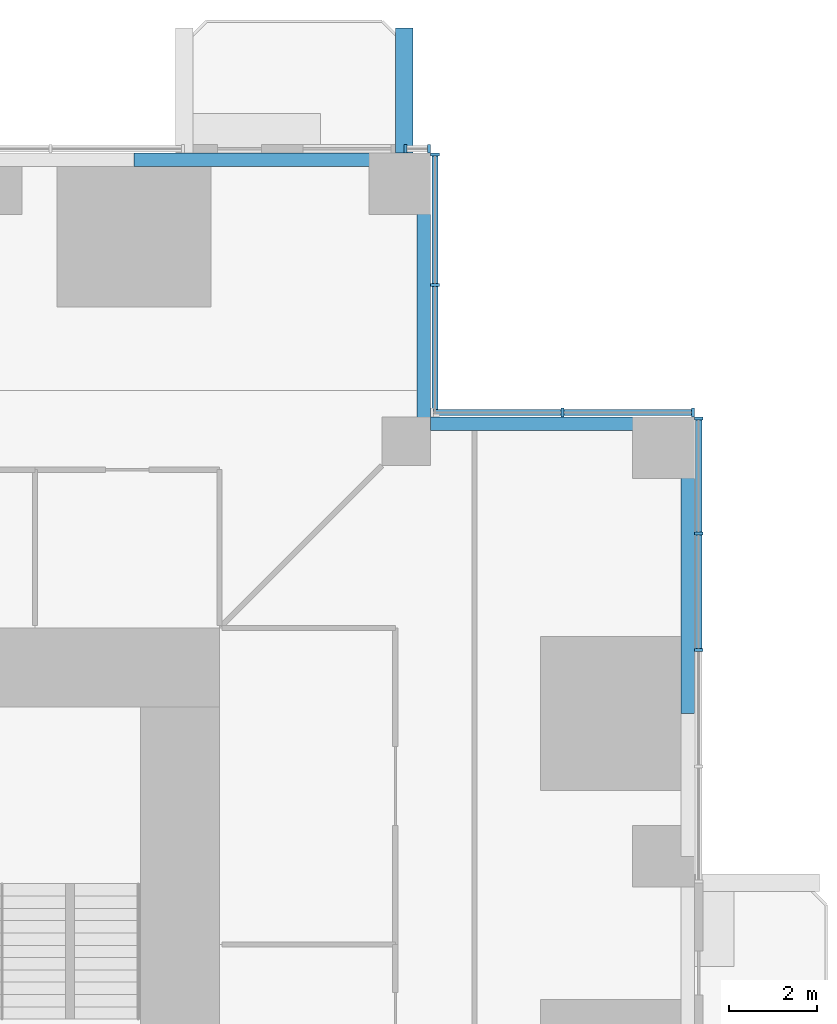
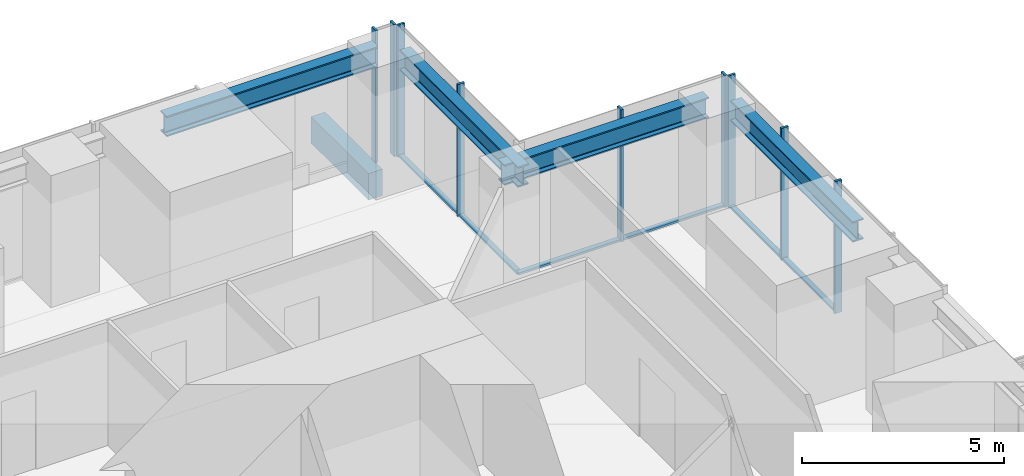
# One storey, part 5 of 16: 15 members, 5 beams, 4 elements without a shape of their own.
"""IFC4 building model written with IfcOpenShell, lengths in metres."""

from ifc_helpers import new_model, si_unit, direction, frame, origin, origin_2d, place, context, subcontext, project, spatial, rectangle, i_section, extrude, material, material_profile, profile_set, type_object, element, aggregate, save


model = new_model("IFC4")

# Units and contexts
model_context = context("Model", 3, precision=1e-05, world=origin(), true_north=direction((0.0, 1.0)))
body_context = subcontext(model_context, "Body", "Model", "MODEL_VIEW")
ifc_project = project(units=[si_unit("LENGTHUNIT", "METRE"), si_unit("AREAUNIT", "SQUARE_METRE"), si_unit("VOLUMEUNIT", "CUBIC_METRE"), si_unit("PLANEANGLEUNIT", "RADIAN"), si_unit("MASSUNIT", "GRAM", prefix="KILO")], contexts=[model_context])

# Site, building, storey
site_placement = place(None, origin())
site = spatial("IfcSite", under=ifc_project, at=site_placement, CompositionType="ELEMENT")
building_placement = place(site_placement, origin())
building = spatial("IfcBuilding", under=site, at=building_placement, Name="Svetlomir Tower", CompositionType="ELEMENT")
storey_placement = place(building_placement, frame((0.0, 0.0, 22.5)))
storey = spatial("IfcBuildingStorey", under=building, at=storey_placement, Name="L04", CompositionType="ELEMENT", Elevation=22.5)

# Beam
ifc_material_1 = material(Name="Concrete C60/75", Category="concrete")
ifc_material_profile_1 = material_profile(ifc_material_1, rectangle(XDim=0.39990234375, YDim=0.800048828125, at=origin_2d()), Name="RC 400x800")
ifc_profile_set_1 = profile_set([ifc_material_profile_1], Name="Concrete C60/75")
beam_type_1 = type_object("IfcBeamType", Name="BALCONY RIB RC 400x800", PredefinedType="BEAM", material=ifc_profile_set_1)
beam_placement = place(storey_placement, frame((35.39990234375, 42.0, -0.64990234375), z_axis=(0.0, 1.0, 0.0), x_axis=(-1.0, 0.0, 0.0)))
element("IfcBeam", 1, at=beam_placement, inside=storey, type_object=beam_type_1, Name="Balcony rib N 2 L04", PredefinedType="BEAM", context=body_context, shape_type="SweptSolid", body=[
    extrude(rectangle(XDim=0.39990234375, YDim=0.800048828125, at=origin_2d()), origin(), (0.0, 0.0, 1.0), 2.85009765625),
])

# Curtain wall, members
ifc_material_2 = material(Name="Bronze anodised aluminium curtain wall", Category="aluminium")
curtain_wall_type = type_object("IfcCurtainWallType", Name="CURTAIN WALL CW1 TOWER OFFICE", PredefinedType="NOTDEFINED", material=ifc_material_2)
curtain_wall_1_placement = place(storey_placement, origin())
curtain_wall_1 = element("IfcCurtainWall", 2, at=curtain_wall_1_placement, inside=storey, type_object=curtain_wall_type, Name="Curtain wall CW1 L04", PredefinedType="NOTDEFINED")
ifc_material_3 = material(Name="Bronze anodised aluminium", Category="aluminium")
ifc_material_profile_2 = material_profile(ifc_material_3, rectangle(XDim=0.06494140625, YDim=0.199951171875, at=origin_2d()), Name="AL 65x200")
ifc_profile_set_2 = profile_set([ifc_material_profile_2], Name="Bronze anodised aluminium 6063-T6")
member_type_1 = type_object("IfcMemberType", Name="CW1 MULLION 65x200", PredefinedType="MULLION", material=ifc_profile_set_2)
member_1_placement = place(storey_placement, frame((42.10009765625, 30.699951171875, 0.0), z_axis=(0.0, 0.0, 1.0), x_axis=(0.0, 1.0, 0.0)))
member_1 = element("IfcMember", 3, at=member_1_placement, type_object=member_type_1, Name="CW1 mullion 3", PredefinedType="MULLION", context=body_context, shape_type="SweptSolid", body=[
    extrude(rectangle(XDim=0.06494140625, YDim=0.199951171875, at=origin_2d()), origin(), (0.0, 0.0, 1.0), 4.0),
])
member_2_placement = place(storey_placement, frame((42.10009765625, 33.35009765625, 0.0), z_axis=(0.0, 0.0, 1.0), x_axis=(0.0, 1.0, 0.0)))
member_2 = element("IfcMember", 4, at=member_2_placement, type_object=member_type_1, Name="CW1 mullion 4", PredefinedType="MULLION", context=body_context, shape_type="SweptSolid", body=[
    extrude(rectangle(XDim=0.06494140625, YDim=0.199951171875, at=origin_2d()), origin(), (0.0, 0.0, 1.0), 4.0),
])
member_3_placement = place(storey_placement, frame((42.10009765625, 35.967529296875, 0.0), z_axis=(0.0, 0.0, 1.0), x_axis=(0.0, 1.0, 0.0)))
member_3 = element("IfcMember", 5, at=member_3_placement, type_object=member_type_1, Name="CW1 mullion 5", PredefinedType="MULLION", context=body_context, shape_type="SweptSolid", body=[
    extrude(rectangle(XDim=0.06494140625, YDim=0.199951171875, at=origin_2d()), origin(), (0.0, 0.0, 1.0), 4.0),
])

curtain_wall_2_placement = place(storey_placement, origin())
curtain_wall_2 = element("IfcCurtainWall", 6, at=curtain_wall_2_placement, inside=storey, type_object=curtain_wall_type, Name="Curtain wall CW1 L04", PredefinedType="NOTDEFINED")
member_4_placement = place(storey_placement, frame((41.967529296875, 36.10009765625, 0.0), z_axis=(0.0, 0.0, 1.0), x_axis=(-1.0, 0.0, 0.0)))
member_4 = element("IfcMember", 7, at=member_4_placement, type_object=member_type_1, Name="CW1 mullion 1", PredefinedType="MULLION", context=body_context, shape_type="SweptSolid", body=[
    extrude(rectangle(XDim=0.06494140625, YDim=0.199951171875, at=origin_2d()), origin(), (0.0, 0.0, 1.0), 4.0),
])
member_5_placement = place(storey_placement, frame((39.0, 36.10009765625, 0.0), z_axis=(0.0, 0.0, 1.0), x_axis=(-1.0, 0.0, 0.0)))
member_5 = element("IfcMember", 8, at=member_5_placement, type_object=member_type_1, Name="CW1 mullion 2", PredefinedType="MULLION", context=body_context, shape_type="SweptSolid", body=[
    extrude(rectangle(XDim=0.06494140625, YDim=0.199951171875, at=origin_2d()), origin(), (0.0, 0.0, 1.0), 4.0),
])

curtain_wall_3_placement = place(storey_placement, origin())
curtain_wall_3 = element("IfcCurtainWall", 9, at=curtain_wall_3_placement, inside=storey, type_object=curtain_wall_type, Name="Curtain wall CW1 L04", PredefinedType="NOTDEFINED")
member_6_placement = place(storey_placement, frame((36.10009765625, 39.0, 0.0), z_axis=(0.0, 0.0, 1.0), x_axis=(0.0, 1.0, 0.0)))
member_6 = element("IfcMember", 10, at=member_6_placement, type_object=member_type_1, Name="CW1 mullion 2", PredefinedType="MULLION", context=body_context, shape_type="SweptSolid", body=[
    extrude(rectangle(XDim=0.06494140625, YDim=0.199951171875, at=origin_2d()), origin(), (0.0, 0.0, 1.0), 4.0),
])
member_7_placement = place(storey_placement, frame((36.10009765625, 41.967529296875, 0.0), z_axis=(0.0, 0.0, 1.0), x_axis=(0.0, 1.0, 0.0)))
member_7 = element("IfcMember", 11, at=member_7_placement, type_object=member_type_1, Name="CW1 mullion 3", PredefinedType="MULLION", context=body_context, shape_type="SweptSolid", body=[
    extrude(rectangle(XDim=0.06494140625, YDim=0.199951171875, at=origin_2d()), origin(), (0.0, 0.0, 1.0), 4.0),
])

curtain_wall_4_placement = place(storey_placement, origin())
curtain_wall_4 = element("IfcCurtainWall", 12, at=curtain_wall_4_placement, inside=storey, type_object=curtain_wall_type, Name="Curtain wall CW1 L04", PredefinedType="NOTDEFINED")
member_8_placement = place(storey_placement, frame((35.967529296875, 42.10009765625, 0.0), z_axis=(0.0, 0.0, 1.0), x_axis=(-1.0, 0.0, 0.0)))
member_8 = element("IfcMember", 13, at=member_8_placement, type_object=member_type_1, Name="CW1 mullion 1", PredefinedType="MULLION", context=body_context, shape_type="SweptSolid", body=[
    extrude(rectangle(XDim=0.06494140625, YDim=0.199951171875, at=origin_2d()), origin(), (0.0, 0.0, 1.0), 4.0),
])
member_9_placement = place(storey_placement, frame((35.4326171875, 42.10009765625, 0.0), z_axis=(0.0, 0.0, 1.0), x_axis=(-1.0, 0.0, 0.0)))
member_9 = element("IfcMember", 14, at=member_9_placement, type_object=member_type_1, Name="CW1 mullion 2", PredefinedType="MULLION", context=body_context, shape_type="SweptSolid", body=[
    extrude(rectangle(XDim=0.06494140625, YDim=0.199951171875, at=origin_2d()), origin(), (0.0, 0.0, 1.0), 4.0),
])
aggregate(curtain_wall_4, [member_8, member_9])

# Member
ifc_material_4 = material(Name="Bronze anodised aluminium", Category="aluminium")
ifc_material_profile_3 = material_profile(ifc_material_4, rectangle(XDim=0.139892578125, YDim=0.06494140625, at=origin_2d()), Name="AL 140x65")
ifc_profile_set_3 = profile_set([ifc_material_profile_3], Name="Bronze anodised aluminium 6063-T6")
member_type_2 = type_object("IfcMemberType", Name="CW1 TRANSOM 65x140", PredefinedType="USERDEFINED", material=ifc_profile_set_3)
member_10_placement = place(storey_placement, frame((42.10009765625, 30.732421875, 0.032470703125), z_axis=(0.0, 1.0, 0.0), x_axis=(-1.0, 0.0, 0.0)))
member_10 = element("IfcMember", 15, at=member_10_placement, type_object=member_type_2, Name="CW1 transom 3.1", ObjectType="TRANSOM", PredefinedType="USERDEFINED", context=body_context, shape_type="SweptSolid", body=[
    extrude(rectangle(XDim=0.139892578125, YDim=0.06494140625, at=origin_2d()), origin(), (0.0, 0.0, 1.0), 2.5849609375),
])

member_11_placement = place(storey_placement, frame((42.10009765625, 33.382568359375, 0.032470703125), z_axis=(0.0, 1.0, 0.0), x_axis=(-1.0, 0.0, 0.0)))
member_11 = element("IfcMember", 16, at=member_11_placement, type_object=member_type_2, Name="CW1 transom 4.1", ObjectType="TRANSOM", PredefinedType="USERDEFINED", context=body_context, shape_type="SweptSolid", body=[
    extrude(rectangle(XDim=0.139892578125, YDim=0.06494140625, at=origin_2d()), origin(), (0.0, 0.0, 1.0), 2.552490234375),
])

aggregate(curtain_wall_1, [member_1, member_2, member_3, member_10, member_11])

member_12_placement = place(storey_placement, frame((41.93505859375, 36.10009765625, 0.032470703125), z_axis=(-1.0, 0.0, 0.0), x_axis=(0.0, -1.0, 0.0)))
member_12 = element("IfcMember", 17, at=member_12_placement, type_object=member_type_2, Name="CW1 transom 1.1", ObjectType="TRANSOM", PredefinedType="USERDEFINED", context=body_context, shape_type="SweptSolid", body=[
    extrude(rectangle(XDim=0.139892578125, YDim=0.06494140625, at=origin_2d()), origin(), (0.0, 0.0, 1.0), 2.902587890625),
])

member_13_placement = place(storey_placement, frame((38.967529296875, 36.10009765625, 0.032470703125), z_axis=(-1.0, 0.0, 0.0), x_axis=(0.0, -1.0, 0.0)))
member_13 = element("IfcMember", 18, at=member_13_placement, type_object=member_type_2, Name="CW1 transom 2.1", ObjectType="TRANSOM", PredefinedType="USERDEFINED", context=body_context, shape_type="SweptSolid", body=[
    extrude(rectangle(XDim=0.139892578125, YDim=0.06494140625, at=origin_2d()), origin(), (0.0, 0.0, 1.0), 2.902587890625),
])

aggregate(curtain_wall_2, [member_4, member_5, member_12, member_13])

member_14_placement = place(storey_placement, frame((36.10009765625, 36.06494140625, 0.032470703125), z_axis=(0.0, 1.0, 0.0), x_axis=(-1.0, 0.0, 0.0)))
member_14 = element("IfcMember", 19, at=member_14_placement, type_object=member_type_2, Name="CW1 transom 1.1", ObjectType="TRANSOM", PredefinedType="USERDEFINED", context=body_context, shape_type="SweptSolid", body=[
    extrude(rectangle(XDim=0.139892578125, YDim=0.06494140625, at=origin_2d()), origin(), (0.0, 0.0, 1.0), 2.902587890625),
])

member_15_placement = place(storey_placement, frame((36.10009765625, 39.032470703125, 0.032470703125), z_axis=(0.0, 1.0, 0.0), x_axis=(-1.0, 0.0, 0.0)))
member_15 = element("IfcMember", 20, at=member_15_placement, type_object=member_type_2, Name="CW1 transom 2.1", ObjectType="TRANSOM", PredefinedType="USERDEFINED", context=body_context, shape_type="SweptSolid", body=[
    extrude(rectangle(XDim=0.139892578125, YDim=0.06494140625, at=origin_2d()), origin(), (0.0, 0.0, 1.0), 2.902587890625),
])

aggregate(curtain_wall_3, [member_6, member_7, member_14, member_15])

# Beams
ifc_material_5 = material(Name="Steel S355", Category="steel")
ifc_material_profile_4 = material_profile(ifc_material_5, i_section(OverallWidth=0.304931640625, OverallDepth=0.6201171875, WebThickness=0.02099609375, FlangeThickness=0.0400390625, FilletRadius=0.027099609375, at=origin_2d()), Name="HEM 600")
ifc_profile_set_4 = profile_set([ifc_material_profile_4], Name="Steel S355")
beam_type_2 = type_object("IfcBeamType", Name="EDGE BEAM HEM 600", PredefinedType="SPANDREL", material=ifc_profile_set_4)
for number, where, z_axis, x_axis, name in (
    (21, (41.847412109375, 29.25, 3.43994140625), (0.0, 1.0, 0.0), (-1.0, 0.0, 0.0), "Edge beam 42/31 to 42/36 under L05"),
    (22, (29.25, 41.847412109375, 3.43994140625), (1.0, 0.0, 0.0), (0.0, 1.0, 0.0), "Edge beam 31/42 to 36/42 under L05"),
):
    element("IfcBeam", number, at=place(storey_placement, frame(where, z_axis=z_axis, x_axis=x_axis)), inside=storey, type_object=beam_type_2, Name=name, PredefinedType="SPANDREL", context=body_context, shape_type="SweptSolid", body=[
        extrude(i_section(OverallWidth=0.304931640625, OverallDepth=0.6201171875, WebThickness=0.02099609375, FlangeThickness=0.0400390625, FilletRadius=0.027099609375, at=origin_2d()), origin(), (0.0, 0.0, 1.0), 6.050048828125),
    ])
for number, where, z_axis, x_axis, name in (
    (23, (35.847412109375, 41.300048828125, 3.43994140625), (0.0, -1.0, 0.0), (1.0, 0.0, 0.0), "Edge beam 36/42 to 36/36 under L05"),
    (24, (41.300048828125, 35.847412109375, 3.43994140625), (-1.0, 0.0, 0.0), (0.0, -1.0, 0.0), "Edge beam 42/36 to 36/36 under L05"),
):
    element("IfcBeam", number, at=place(storey_placement, frame(where, z_axis=z_axis, x_axis=x_axis)), inside=storey, type_object=beam_type_2, Name=name, PredefinedType="SPANDREL", context=body_context, shape_type="SweptSolid", body=[
        extrude(i_section(OverallWidth=0.304931640625, OverallDepth=0.6201171875, WebThickness=0.02099609375, FlangeThickness=0.0400390625, FilletRadius=0.027099609375, at=origin_2d()), origin(), (0.0, 0.0, 1.0), 5.85009765625),
    ])

save(model, "model.ifc")
